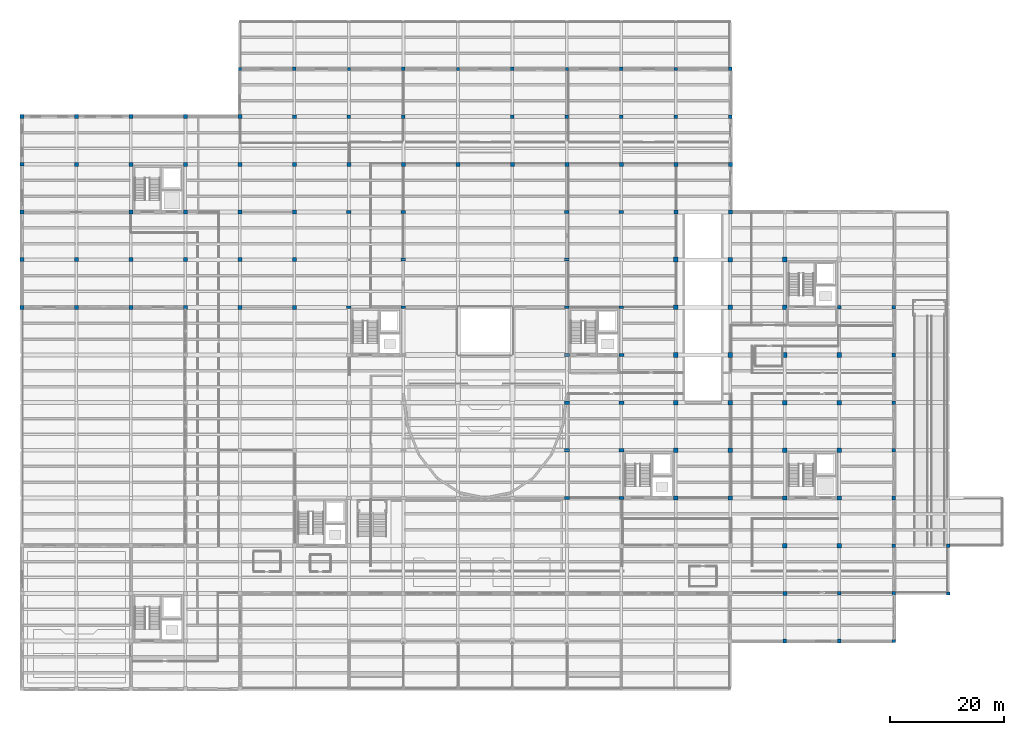
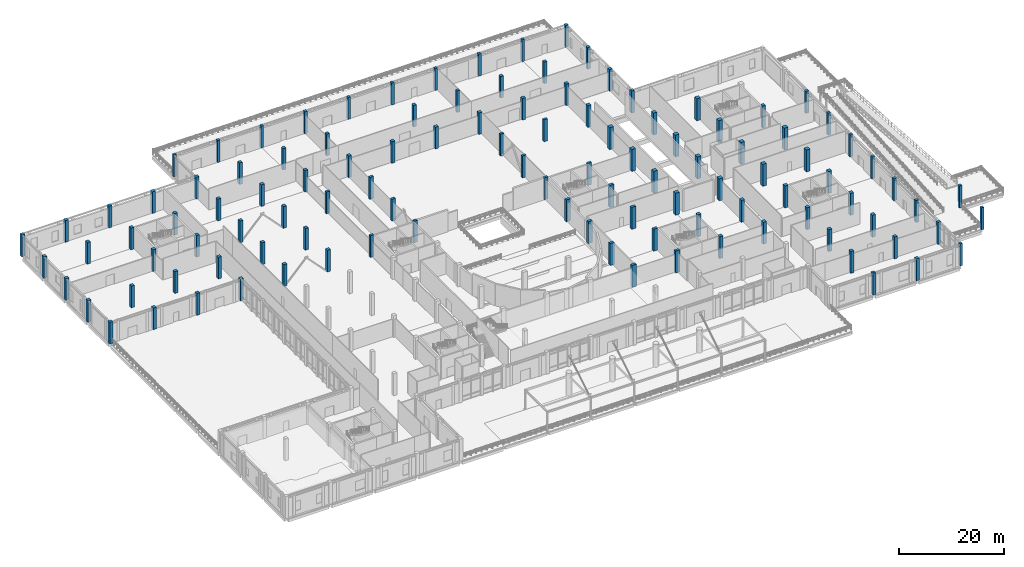
# One storey, part 10 of 71: 113 columns.
"""IFC4 building model written with IfcOpenShell, lengths in metres."""

from ifc_helpers import new_model, si_unit, direction, frame, origin, origin_2d, place, context, subcontext, project, spatial, rectangle, extrude, material, material_profile, profile_set, type_object, element, save


model = new_model("IFC4")

# Units and contexts
model_context = context("Model", 3, precision=1e-05, world=origin(), true_north=direction((0.0, 1.0)))
body_context = subcontext(model_context, "Body", "Model", "MODEL_VIEW")
ifc_project = project(units=[si_unit("LENGTHUNIT", "METRE"), si_unit("AREAUNIT", "SQUARE_METRE"), si_unit("VOLUMEUNIT", "CUBIC_METRE"), si_unit("PLANEANGLEUNIT", "RADIAN"), si_unit("MASSUNIT", "GRAM", prefix="KILO")], contexts=[model_context])

# Site, building, storey
site_placement = place(None, origin())
site = spatial("IfcSite", under=ifc_project, at=site_placement, CompositionType="ELEMENT")
building_placement = place(site_placement, origin())
building = spatial("IfcBuilding", under=site, at=building_placement, Name="Lornevale Opera House", CompositionType="ELEMENT")
storey_placement = place(building_placement, origin())
storey = spatial("IfcBuildingStorey", under=building, at=storey_placement, Name="L01", CompositionType="ELEMENT", Elevation=0.0)

# Columns
ifc_material_1 = material(Name="Concrete 40 MPa (CSA A23.1 C-1)", Category="concrete")
ifc_material_profile_1 = material_profile(ifc_material_1, rectangle(XDim=0.89990234375, YDim=0.60009765625, at=origin_2d()), Name="RC900x600")
ifc_profile_set_1 = profile_set([ifc_material_profile_1], Name="Concrete 40 MPa (CSA A23.1 C-1)")
column_type_1 = type_object("IfcColumnType", Name="Auditorium Drum Pier 900x600", PredefinedType="COLUMN", material=ifc_profile_set_1)
for number, where, z_axis, x_axis, name in (
    (1, (96.0, 33.60009765625, 0.0), (0.0, 0.0, 1.0), (1.0, 0.0, 0.0), "Auditorium Drum Pier 900x600 0615"),
    (2, (96.0, 42.0, 0.0), (0.0, 0.0, 1.0), (1.0, 0.0, 0.0), "Auditorium Drum Pier 900x600 0621"),
    (3, (96.0, 50.39990234375, 0.0), (0.0, 0.0, 1.0), (1.0, 0.0, 0.0), "Auditorium Drum Pier 900x600 0627"),
    (4, (96.0, 58.800048828125, 0.0), (0.0, 0.0, 1.0), (1.0, 0.0, 0.0), "Auditorium Drum Pier 900x600 0635"),
    (5, (105.60009765625, 33.60009765625, 0.0), (0.0, 0.0, 1.0), (1.0, 0.0, 0.0), "Auditorium Drum Pier 900x600 0696"),
    (6, (105.60009765625, 42.0, 0.0), (0.0, 0.0, 1.0), (1.0, 0.0, 0.0), "Auditorium Drum Pier 900x600 0702"),
    (7, (105.60009765625, 50.39990234375, 0.0), (0.0, 0.0, 1.0), (1.0, 0.0, 0.0), "Auditorium Drum Pier 900x600 0708"),
    (8, (105.60009765625, 58.800048828125, 0.0), (0.0, 0.0, 1.0), (1.0, 0.0, 0.0), "Auditorium Drum Pier 900x600 0716"),
):
    element("IfcColumn", number, at=place(storey_placement, frame(where, z_axis=z_axis, x_axis=x_axis)), inside=storey, type_object=column_type_1, Name=name, PredefinedType="COLUMN", context=body_context, shape_type="SweptSolid", body=[
        extrude(rectangle(XDim=0.89990234375, YDim=0.60009765625, at=origin_2d()), origin(), (0.0, 0.0, 1.0), 5.1201171875),
    ])
ifc_material_2 = material(Name="Concrete 35 MPa (CSA A23.1 N)", Category="concrete")
ifc_material_profile_2 = material_profile(ifc_material_2, rectangle(XDim=0.550048828125, YDim=0.550048828125, at=origin_2d()), Name="RC550x550")
ifc_profile_set_2 = profile_set([ifc_material_profile_2], Name="Concrete 35 MPa (CSA A23.1 N)")
column_type_2 = type_object("IfcColumnType", Name="Concrete Column 550x550", PredefinedType="COLUMN", material=ifc_profile_set_2)
for number, where, z_axis, x_axis, name in (
    (9, (38.39990234375, 109.199951171875, 0.0), (0.0, 0.0, 1.0), (1.0, 0.0, 0.0), "Concrete Column 550x550 0282"),
    (10, (57.60009765625, 109.199951171875, 0.0), (0.0, 0.0, 1.0), (1.0, 0.0, 0.0), "Concrete Column 550x550 0412"),
    (11, (76.800048828125, 109.199951171875, 0.0), (0.0, 0.0, 1.0), (1.0, 0.0, 0.0), "Concrete Column 550x550 0541"),
    (12, (96.0, 109.199951171875, 0.0), (0.0, 0.0, 1.0), (1.0, 0.0, 0.0), "Concrete Column 550x550 0676"),
    (13, (115.199951171875, 109.199951171875, 0.0), (0.0, 0.0, 1.0), (1.0, 0.0, 0.0), "Concrete Column 550x550 0829"),
):
    element("IfcColumn", number, at=place(storey_placement, frame(where, z_axis=z_axis, x_axis=x_axis)), inside=storey, type_object=column_type_2, Name=name, PredefinedType="COLUMN", context=body_context, shape_type="SweptSolid", body=[
        extrude(rectangle(XDim=0.550048828125, YDim=0.550048828125, at=origin_2d()), origin(), (0.0, 0.0, 1.0), 5.1298828125),
    ])
for number, where, z_axis, x_axis, name in (
    (14, (153.60009765625, 8.39990234375, 0.0), (0.0, 0.0, 1.0), (1.0, 0.0, 0.0), "Concrete Column 550x550 1039"),
    (15, (163.199951171875, 16.800048828125, 0.0), (0.0, 0.0, 1.0), (1.0, 0.0, 0.0), "Concrete Column 550x550 1077"),
):
    element("IfcColumn", number, at=place(storey_placement, frame(where, z_axis=z_axis, x_axis=x_axis)), inside=storey, type_object=column_type_2, Name=name, PredefinedType="COLUMN", context=body_context, shape_type="SweptSolid", body=[
        extrude(rectangle(XDim=0.550048828125, YDim=0.550048828125, at=origin_2d()), origin(), (0.0, 0.0, 1.0), 5.169921875),
    ])
ifc_material_profile_3 = material_profile(ifc_material_2, rectangle(XDim=0.60009765625, YDim=0.60009765625, at=origin_2d()), Name="RC600x600")
ifc_profile_set_3 = profile_set([ifc_material_profile_3], Name="Concrete 35 MPa (CSA A23.1 N)")
column_type_3 = type_object("IfcColumnType", Name="Concrete Column 600x600", PredefinedType="COLUMN", material=ifc_profile_set_3)
for number, where, z_axis, x_axis, name in (
    (16, (48.0, 109.199951171875, 0.0), (0.0, 0.0, 1.0), (1.0, 0.0, 0.0), "Concrete Column 600x600 0345"),
    (17, (67.199951171875, 109.199951171875, 0.0), (0.0, 0.0, 1.0), (1.0, 0.0, 0.0), "Concrete Column 600x600 0494"),
    (18, (86.39990234375, 109.199951171875, 0.0), (0.0, 0.0, 1.0), (1.0, 0.0, 0.0), "Concrete Column 600x600 0593"),
    (19, (105.60009765625, 109.199951171875, 0.0), (0.0, 0.0, 1.0), (1.0, 0.0, 0.0), "Concrete Column 600x600 0751"),
    (20, (124.800048828125, 109.199951171875, 0.0), (0.0, 0.0, 1.0), (1.0, 0.0, 0.0), "Concrete Column 600x600 0908"),
):
    element("IfcColumn", number, at=place(storey_placement, frame(where, z_axis=z_axis, x_axis=x_axis)), inside=storey, type_object=column_type_3, Name=name, PredefinedType="COLUMN", context=body_context, shape_type="SweptSolid", body=[
        extrude(rectangle(XDim=0.60009765625, YDim=0.60009765625, at=origin_2d()), origin(), (0.0, 0.0, 1.0), 5.1298828125),
    ])
column_1_placement = place(storey_placement, frame((163.199951171875, 25.199951171875, 0.0), z_axis=(0.0, 0.0, 1.0), x_axis=(1.0, 0.0, 0.0)))
element("IfcColumn", 21, at=column_1_placement, inside=storey, type_object=column_type_3, Name="Concrete Column 600x600 1080", PredefinedType="COLUMN", context=body_context, shape_type="SweptSolid", body=[
    extrude(rectangle(XDim=0.60009765625, YDim=0.60009765625, at=origin_2d()), origin(), (0.0, 0.0, 1.0), 5.169921875),
])
ifc_material_profile_4 = material_profile(ifc_material_1, rectangle(XDim=0.64990234375, YDim=0.64990234375, at=origin_2d()), Name="RC650x650")
ifc_profile_set_4 = profile_set([ifc_material_profile_4], Name="Concrete 40 MPa (CSA A23.1 C-1)")
column_type_4 = type_object("IfcColumnType", Name="Concrete Column 650x650", PredefinedType="COLUMN", material=ifc_profile_set_4)
column_2_placement = place(storey_placement, frame((48.0, 100.800048828125, 0.0), z_axis=(0.0, 0.0, 1.0), x_axis=(1.0, 0.0, 0.0)))
element("IfcColumn", 22, at=column_2_placement, inside=storey, type_object=column_type_4, Name="Concrete Column 650x650 0341", PredefinedType="COLUMN", context=body_context, shape_type="SweptSolid", body=[
    extrude(rectangle(XDim=0.64990234375, YDim=0.64990234375, at=origin_2d()), origin(), (0.0, 0.0, 1.0), 5.070068359375),
])
for number, where, z_axis, x_axis, name in (
    (23, (57.60009765625, 100.800048828125, 0.0), (0.0, 0.0, 1.0), (1.0, 0.0, 0.0), "Concrete Column 650x650 0408"),
    (24, (67.199951171875, 100.800048828125, 0.0), (0.0, 0.0, 1.0), (1.0, 0.0, 0.0), "Concrete Column 650x650 0490"),
    (25, (86.39990234375, 100.800048828125, 0.0), (0.0, 0.0, 1.0), (1.0, 0.0, 0.0), "Concrete Column 650x650 0589"),
    (26, (96.0, 100.800048828125, 0.0), (0.0, 0.0, 1.0), (1.0, 0.0, 0.0), "Concrete Column 650x650 0672"),
    (27, (105.60009765625, 100.800048828125, 0.0), (0.0, 0.0, 1.0), (1.0, 0.0, 0.0), "Concrete Column 650x650 0747"),
    (28, (115.199951171875, 100.800048828125, 0.0), (0.0, 0.0, 1.0), (1.0, 0.0, 0.0), "Concrete Column 650x650 0825"),
    (29, (124.800048828125, 100.800048828125, 0.0), (0.0, 0.0, 1.0), (1.0, 0.0, 0.0), "Concrete Column 650x650 0904"),
):
    element("IfcColumn", number, at=place(storey_placement, frame(where, z_axis=z_axis, x_axis=x_axis)), inside=storey, type_object=column_type_4, Name=name, PredefinedType="COLUMN", context=body_context, shape_type="SweptSolid", body=[
        extrude(rectangle(XDim=0.64990234375, YDim=0.64990234375, at=origin_2d()), origin(), (0.0, 0.0, 1.0), 5.0400390625),
    ])
for number, where, z_axis, x_axis, name in (
    (30, (134.39990234375, 8.39990234375, 0.0), (0.0, 0.0, 1.0), (1.0, 0.0, 0.0), "Concrete Column 650x650 0913"),
    (31, (144.0, 8.39990234375, 0.0), (0.0, 0.0, 1.0), (1.0, 0.0, 0.0), "Concrete Column 650x650 0976"),
    (32, (153.60009765625, 16.800048828125, 0.0), (0.0, 0.0, 1.0), (1.0, 0.0, 0.0), "Concrete Column 650x650 1042"),
    (33, (153.60009765625, 25.199951171875, 0.0), (0.0, 0.0, 1.0), (1.0, 0.0, 0.0), "Concrete Column 650x650 1046"),
    (34, (153.60009765625, 33.60009765625, 0.0), (0.0, 0.0, 1.0), (1.0, 0.0, 0.0), "Concrete Column 650x650 1050"),
    (35, (153.60009765625, 42.0, 0.0), (0.0, 0.0, 1.0), (1.0, 0.0, 0.0), "Concrete Column 650x650 1054"),
    (36, (153.60009765625, 50.39990234375, 0.0), (0.0, 0.0, 1.0), (1.0, 0.0, 0.0), "Concrete Column 650x650 1058"),
    (37, (153.60009765625, 58.800048828125, 0.0), (0.0, 0.0, 1.0), (1.0, 0.0, 0.0), "Concrete Column 650x650 1062"),
    (38, (153.60009765625, 67.199951171875, 0.0), (0.0, 0.0, 1.0), (1.0, 0.0, 0.0), "Concrete Column 650x650 1066"),
):
    element("IfcColumn", number, at=place(storey_placement, frame(where, z_axis=z_axis, x_axis=x_axis)), inside=storey, type_object=column_type_4, Name=name, PredefinedType="COLUMN", context=body_context, shape_type="SweptSolid", body=[
        extrude(rectangle(XDim=0.64990234375, YDim=0.64990234375, at=origin_2d()), origin(), (0.0, 0.0, 1.0), 5.1201171875),
    ])
ifc_material_profile_5 = material_profile(ifc_material_1, rectangle(XDim=0.699951171875, YDim=0.699951171875, at=origin_2d()), Name="RC700x700")
ifc_profile_set_5 = profile_set([ifc_material_profile_5], Name="Concrete 40 MPa (CSA A23.1 C-1)")
column_type_5 = type_object("IfcColumnType", Name="Concrete Column 700x700", PredefinedType="COLUMN", material=ifc_profile_set_5)
for number, where, z_axis, x_axis, name in (
    (39, (0.0, 67.199951171875, 0.0), (0.0, 0.0, 1.0), (1.0, 0.0, 0.0), "Concrete Column 700x700 0031"),
    (40, (0.0, 75.60009765625, 0.0), (0.0, 0.0, 1.0), (1.0, 0.0, 0.0), "Concrete Column 700x700 0036"),
    (41, (0.0, 84.0, 0.0), (0.0, 0.0, 1.0), (1.0, 0.0, 0.0), "Concrete Column 700x700 0041"),
    (42, (0.0, 100.800048828125, 0.0), (0.0, 0.0, 1.0), (1.0, 0.0, 0.0), "Concrete Column 700x700 0051"),
    (43, (9.60009765625, 67.199951171875, 0.0), (0.0, 0.0, 1.0), (1.0, 0.0, 0.0), "Concrete Column 700x700 0081"),
    (44, (9.60009765625, 75.60009765625, 0.0), (0.0, 0.0, 1.0), (1.0, 0.0, 0.0), "Concrete Column 700x700 0086"),
    (45, (9.60009765625, 92.39990234375, 0.0), (0.0, 0.0, 1.0), (1.0, 0.0, 0.0), "Concrete Column 700x700 0093"),
    (46, (9.60009765625, 100.800048828125, 0.0), (0.0, 0.0, 1.0), (1.0, 0.0, 0.0), "Concrete Column 700x700 0098"),
    (47, (19.199951171875, 67.199951171875, 0.0), (0.0, 0.0, 1.0), (1.0, 0.0, 0.0), "Concrete Column 700x700 0131"),
    (48, (19.199951171875, 75.60009765625, 0.0), (0.0, 0.0, 1.0), (1.0, 0.0, 0.0), "Concrete Column 700x700 0136"),
    (49, (19.199951171875, 84.0, 0.0), (0.0, 0.0, 1.0), (1.0, 0.0, 0.0), "Concrete Column 700x700 0141"),
    (50, (19.199951171875, 92.39990234375, 0.0), (0.0, 0.0, 1.0), (1.0, 0.0, 0.0), "Concrete Column 700x700 0146"),
    (51, (19.199951171875, 100.800048828125, 0.0), (0.0, 0.0, 1.0), (1.0, 0.0, 0.0), "Concrete Column 700x700 0151"),
    (52, (28.800048828125, 67.199951171875, 0.0), (0.0, 0.0, 1.0), (1.0, 0.0, 0.0), "Concrete Column 700x700 0192"),
    (53, (28.800048828125, 75.60009765625, 0.0), (0.0, 0.0, 1.0), (1.0, 0.0, 0.0), "Concrete Column 700x700 0197"),
    (54, (28.800048828125, 84.0, 0.0), (0.0, 0.0, 1.0), (1.0, 0.0, 0.0), "Concrete Column 700x700 0202"),
    (55, (28.800048828125, 92.39990234375, 0.0), (0.0, 0.0, 1.0), (1.0, 0.0, 0.0), "Concrete Column 700x700 0207"),
    (56, (28.800048828125, 100.800048828125, 0.0), (0.0, 0.0, 1.0), (1.0, 0.0, 0.0), "Concrete Column 700x700 0212"),
    (57, (38.39990234375, 67.199951171875, 0.0), (0.0, 0.0, 1.0), (1.0, 0.0, 0.0), "Concrete Column 700x700 0257"),
    (58, (38.39990234375, 75.60009765625, 0.0), (0.0, 0.0, 1.0), (1.0, 0.0, 0.0), "Concrete Column 700x700 0262"),
    (59, (38.39990234375, 84.0, 0.0), (0.0, 0.0, 1.0), (1.0, 0.0, 0.0), "Concrete Column 700x700 0267"),
    (60, (38.39990234375, 92.39990234375, 0.0), (0.0, 0.0, 1.0), (1.0, 0.0, 0.0), "Concrete Column 700x700 0272"),
    (61, (38.39990234375, 100.800048828125, 0.0), (0.0, 0.0, 1.0), (1.0, 0.0, 0.0), "Concrete Column 700x700 0277"),
    (62, (48.0, 67.199951171875, 0.0), (0.0, 0.0, 1.0), (1.0, 0.0, 0.0), "Concrete Column 700x700 0321"),
    (63, (48.0, 75.60009765625, 0.0), (0.0, 0.0, 1.0), (1.0, 0.0, 0.0), "Concrete Column 700x700 0326"),
    (64, (48.0, 84.0, 0.0), (0.0, 0.0, 1.0), (1.0, 0.0, 0.0), "Concrete Column 700x700 0331"),
    (65, (48.0, 92.39990234375, 0.0), (0.0, 0.0, 1.0), (1.0, 0.0, 0.0), "Concrete Column 700x700 0336"),
):
    element("IfcColumn", number, at=place(storey_placement, frame(where, z_axis=z_axis, x_axis=x_axis)), inside=storey, type_object=column_type_5, Name=name, PredefinedType="COLUMN", context=body_context, shape_type="SweptSolid", body=[
        extrude(rectangle(XDim=0.699951171875, YDim=0.699951171875, at=origin_2d()), origin(), (0.0, 0.0, 1.0), 5.070068359375),
    ])
for number, where, z_axis, x_axis, name in (
    (66, (57.60009765625, 92.39990234375, 0.0), (0.0, 0.0, 1.0), (1.0, 0.0, 0.0), "Concrete Column 700x700 0403"),
    (67, (67.199951171875, 92.39990234375, 0.0), (0.0, 0.0, 1.0), (1.0, 0.0, 0.0), "Concrete Column 700x700 0485"),
    (68, (76.800048828125, 92.39990234375, 0.0), (0.0, 0.0, 1.0), (1.0, 0.0, 0.0), "Concrete Column 700x700 0534"),
    (69, (86.39990234375, 92.39990234375, 0.0), (0.0, 0.0, 1.0), (1.0, 0.0, 0.0), "Concrete Column 700x700 0584"),
    (70, (96.0, 92.39990234375, 0.0), (0.0, 0.0, 1.0), (1.0, 0.0, 0.0), "Concrete Column 700x700 0667"),
    (71, (105.60009765625, 92.39990234375, 0.0), (0.0, 0.0, 1.0), (1.0, 0.0, 0.0), "Concrete Column 700x700 0742"),
):
    element("IfcColumn", number, at=place(storey_placement, frame(where, z_axis=z_axis, x_axis=x_axis)), inside=storey, type_object=column_type_5, Name=name, PredefinedType="COLUMN", context=body_context, shape_type="SweptSolid", body=[
        extrude(rectangle(XDim=0.699951171875, YDim=0.699951171875, at=origin_2d()), origin(), (0.0, 0.0, 1.0), 5.0400390625),
    ])
column_3_placement = place(storey_placement, frame((115.199951171875, 84.0, 0.0), z_axis=(0.0, 0.0, 1.0), x_axis=(1.0, 0.0, 0.0)))
element("IfcColumn", 72, at=column_3_placement, inside=storey, type_object=column_type_5, Name="Concrete Column 700x700 0815", PredefinedType="COLUMN", context=body_context, shape_type="SweptSolid", body=[
    extrude(rectangle(XDim=0.699951171875, YDim=0.699951171875, at=origin_2d()), origin(), (0.0, 0.0, 1.0), 5.1201171875),
])
column_4_placement = place(storey_placement, frame((115.199951171875, 92.39990234375, 0.0), z_axis=(0.0, 0.0, 1.0), x_axis=(1.0, 0.0, 0.0)))
element("IfcColumn", 73, at=column_4_placement, inside=storey, type_object=column_type_5, Name="Concrete Column 700x700 0820", PredefinedType="COLUMN", context=body_context, shape_type="SweptSolid", body=[
    extrude(rectangle(XDim=0.699951171875, YDim=0.699951171875, at=origin_2d()), origin(), (0.0, 0.0, 1.0), 5.0400390625),
])
column_5_placement = place(storey_placement, frame((124.800048828125, 84.0, 0.0), z_axis=(0.0, 0.0, 1.0), x_axis=(1.0, 0.0, 0.0)))
element("IfcColumn", 74, at=column_5_placement, inside=storey, type_object=column_type_5, Name="Concrete Column 700x700 0894", PredefinedType="COLUMN", context=body_context, shape_type="SweptSolid", body=[
    extrude(rectangle(XDim=0.699951171875, YDim=0.699951171875, at=origin_2d()), origin(), (0.0, 0.0, 1.0), 5.1201171875),
])
column_6_placement = place(storey_placement, frame((124.800048828125, 92.39990234375, 0.0), z_axis=(0.0, 0.0, 1.0), x_axis=(1.0, 0.0, 0.0)))
element("IfcColumn", 75, at=column_6_placement, inside=storey, type_object=column_type_5, Name="Concrete Column 700x700 0899", PredefinedType="COLUMN", context=body_context, shape_type="SweptSolid", body=[
    extrude(rectangle(XDim=0.699951171875, YDim=0.699951171875, at=origin_2d()), origin(), (0.0, 0.0, 1.0), 5.0400390625),
])
column_7_placement = place(storey_placement, frame((134.39990234375, 16.800048828125, 0.0), z_axis=(0.0, 0.0, 1.0), x_axis=(1.0, 0.0, 0.0)))
element("IfcColumn", 76, at=column_7_placement, inside=storey, type_object=column_type_5, Name="Concrete Column 700x700 0917", PredefinedType="COLUMN", context=body_context, shape_type="SweptSolid", body=[
    extrude(rectangle(XDim=0.699951171875, YDim=0.699951171875, at=origin_2d()), origin(), (0.0, 0.0, 1.0), 5.1201171875),
])
ifc_material_profile_6 = material_profile(ifc_material_1, rectangle(XDim=0.75, YDim=0.75, at=origin_2d()), Name="RC750x750")
ifc_profile_set_6 = profile_set([ifc_material_profile_6], Name="Concrete 40 MPa (CSA A23.1 C-1)")
column_type_6 = type_object("IfcColumnType", Name="Concrete Column 750x750", PredefinedType="COLUMN", material=ifc_profile_set_6)
for number, where, z_axis, x_axis, name in (
    (77, (115.199951171875, 33.60009765625, 0.0), (0.0, 0.0, 1.0), (1.0, 0.0, 0.0), "Concrete Column 750x750 0771"),
    (78, (115.199951171875, 42.0, 0.0), (0.0, 0.0, 1.0), (1.0, 0.0, 0.0), "Concrete Column 750x750 0777"),
    (79, (124.800048828125, 33.60009765625, 0.0), (0.0, 0.0, 1.0), (1.0, 0.0, 0.0), "Concrete Column 750x750 0851"),
    (80, (124.800048828125, 42.0, 0.0), (0.0, 0.0, 1.0), (1.0, 0.0, 0.0), "Concrete Column 750x750 0857"),
    (81, (134.39990234375, 25.199951171875, 0.0), (0.0, 0.0, 1.0), (1.0, 0.0, 0.0), "Concrete Column 750x750 0922"),
    (82, (134.39990234375, 33.60009765625, 0.0), (0.0, 0.0, 1.0), (1.0, 0.0, 0.0), "Concrete Column 750x750 0928"),
    (83, (134.39990234375, 42.0, 0.0), (0.0, 0.0, 1.0), (1.0, 0.0, 0.0), "Concrete Column 750x750 0934"),
    (84, (144.0, 25.199951171875, 0.0), (0.0, 0.0, 1.0), (1.0, 0.0, 0.0), "Concrete Column 750x750 0985"),
    (85, (144.0, 33.60009765625, 0.0), (0.0, 0.0, 1.0), (1.0, 0.0, 0.0), "Concrete Column 750x750 0991"),
    (86, (144.0, 42.0, 0.0), (0.0, 0.0, 1.0), (1.0, 0.0, 0.0), "Concrete Column 750x750 0997"),
):
    element("IfcColumn", number, at=place(storey_placement, frame(where, z_axis=z_axis, x_axis=x_axis)), inside=storey, type_object=column_type_6, Name=name, PredefinedType="COLUMN", context=body_context, shape_type="SweptSolid", body=[
        extrude(rectangle(XDim=0.75, YDim=0.75, at=origin_2d()), origin(), (0.0, 0.0, 1.0), 5.1201171875),
    ])
ifc_material_profile_7 = material_profile(ifc_material_1, rectangle(XDim=0.800048828125, YDim=0.800048828125, at=origin_2d()), Name="RC800x800")
ifc_profile_set_7 = profile_set([ifc_material_profile_7], Name="Concrete 40 MPa (CSA A23.1 C-1)")
column_type_7 = type_object("IfcColumnType", Name="Concrete Column 800x800", PredefinedType="COLUMN", material=ifc_profile_set_7)
column_8_placement = place(storey_placement, frame((124.800048828125, 75.60009765625, 0.0), z_axis=(0.0, 0.0, 1.0), x_axis=(1.0, 0.0, 0.0)))
element("IfcColumn", 87, at=column_8_placement, inside=storey, type_object=column_type_7, Name="Concrete Column 800x800 0887", PredefinedType="COLUMN", context=body_context, shape_type="SweptSolid", body=[
    extrude(rectangle(XDim=0.800048828125, YDim=0.800048828125, at=origin_2d()), origin(), (0.0, 0.0, 1.0), 5.1201171875),
])
ifc_material_profile_8 = material_profile(ifc_material_1, rectangle(XDim=0.85009765625, YDim=0.85009765625, at=origin_2d()), Name="RC850x850")
ifc_profile_set_8 = profile_set([ifc_material_profile_8], Name="Concrete 40 MPa (CSA A23.1 C-1)")
column_type_8 = type_object("IfcColumnType", Name="Concrete Column 850x850", PredefinedType="COLUMN", material=ifc_profile_set_8)
for number, where, z_axis, x_axis, name in (
    (88, (115.199951171875, 50.39990234375, 0.0), (0.0, 0.0, 1.0), (1.0, 0.0, 0.0), "Concrete Column 850x850 0783"),
    (89, (115.199951171875, 58.800048828125, 0.0), (0.0, 0.0, 1.0), (1.0, 0.0, 0.0), "Concrete Column 850x850 0791"),
    (90, (115.199951171875, 67.199951171875, 0.0), (0.0, 0.0, 1.0), (1.0, 0.0, 0.0), "Concrete Column 850x850 0799"),
    (91, (115.199951171875, 75.60009765625, 0.0), (0.0, 0.0, 1.0), (1.0, 0.0, 0.0), "Concrete Column 850x850 0807"),
    (92, (124.800048828125, 50.39990234375, 0.0), (0.0, 0.0, 1.0), (1.0, 0.0, 0.0), "Concrete Column 850x850 0863"),
    (93, (124.800048828125, 58.800048828125, 0.0), (0.0, 0.0, 1.0), (1.0, 0.0, 0.0), "Concrete Column 850x850 0871"),
    (94, (124.800048828125, 67.199951171875, 0.0), (0.0, 0.0, 1.0), (1.0, 0.0, 0.0), "Concrete Column 850x850 0879"),
    (95, (134.39990234375, 50.39990234375, 0.0), (0.0, 0.0, 1.0), (1.0, 0.0, 0.0), "Concrete Column 850x850 0940"),
    (96, (134.39990234375, 58.800048828125, 0.0), (0.0, 0.0, 1.0), (1.0, 0.0, 0.0), "Concrete Column 850x850 0948"),
    (97, (134.39990234375, 67.199951171875, 0.0), (0.0, 0.0, 1.0), (1.0, 0.0, 0.0), "Concrete Column 850x850 0956"),
    (98, (134.39990234375, 75.60009765625, 0.0), (0.0, 0.0, 1.0), (1.0, 0.0, 0.0), "Concrete Column 850x850 0964"),
    (99, (144.0, 50.39990234375, 0.0), (0.0, 0.0, 1.0), (1.0, 0.0, 0.0), "Concrete Column 850x850 1003"),
    (100, (144.0, 58.800048828125, 0.0), (0.0, 0.0, 1.0), (1.0, 0.0, 0.0), "Concrete Column 850x850 1011"),
):
    element("IfcColumn", number, at=place(storey_placement, frame(where, z_axis=z_axis, x_axis=x_axis)), inside=storey, type_object=column_type_8, Name=name, PredefinedType="COLUMN", context=body_context, shape_type="SweptSolid", body=[
        extrude(rectangle(XDim=0.85009765625, YDim=0.85009765625, at=origin_2d()), origin(), (0.0, 0.0, 1.0), 5.1201171875),
    ])
ifc_material_3 = material(Name="Precast Concrete 40 MPa (CSA A23.1 C-1)", Category="concrete")
ifc_material_profile_9 = material_profile(ifc_material_3, rectangle(XDim=0.64990234375, YDim=0.64990234375, at=origin_2d()), Name="RC650x650")
ifc_profile_set_9 = profile_set([ifc_material_profile_9], Name="Precast Concrete 40 MPa (CSA A23.1 C-1)")
column_type_9 = type_object("IfcColumnType", Name="Postmodern Sandstone Pilaster 650x650", PredefinedType="PILASTER", material=ifc_profile_set_9)
column_9_placement = place(storey_placement, frame((0.0, 92.39990234375, 0.0), z_axis=(0.0, 0.0, 1.0), x_axis=(1.0, 0.0, 0.0)))
element("IfcColumn", 101, at=column_9_placement, inside=storey, type_object=column_type_9, Name="Postmodern Sandstone Pilaster 650x650 0046", PredefinedType="PILASTER", context=body_context, shape_type="SweptSolid", body=[
    extrude(rectangle(XDim=0.64990234375, YDim=0.64990234375, at=origin_2d()), origin(), (0.0, 0.0, 1.0), 5.070068359375),
])
for number, where, z_axis, x_axis, name in (
    (102, (144.0, 16.800048828125, 0.0), (0.0, 0.0, 1.0), (1.0, 0.0, 0.0), "Postmodern Sandstone Pilaster 650x650 0980"),
    (103, (144.0, 67.199951171875, 0.0), (0.0, 0.0, 1.0), (1.0, 0.0, 0.0), "Postmodern Sandstone Pilaster 650x650 1019"),
):
    element("IfcColumn", number, at=place(storey_placement, frame(where, z_axis=z_axis, x_axis=x_axis)), inside=storey, type_object=column_type_9, Name=name, PredefinedType="PILASTER", context=body_context, shape_type="SweptSolid", body=[
        extrude(rectangle(XDim=0.64990234375, YDim=0.64990234375, at=origin_2d()), origin(), (0.0, 0.0, 1.0), 5.1201171875),
    ])
ifc_material_profile_10 = material_profile(ifc_material_1, rectangle(XDim=0.800048828125, YDim=0.5, at=origin_2d()), Name="RC800x500")
ifc_profile_set_10 = profile_set([ifc_material_profile_10], Name="Concrete 40 MPa (CSA A23.1 C-1)")
column_type_10 = type_object("IfcColumnType", Name="Stage Pier Column 800x500", PredefinedType="COLUMN", material=ifc_profile_set_10)
for number, where, z_axis, x_axis, name in (
    (104, (57.60009765625, 67.199951171875, 0.0), (0.0, 0.0, 1.0), (1.0, 0.0, 0.0), "Stage Pier Column 800x500 0388"),
    (105, (57.60009765625, 84.0, 0.0), (0.0, 0.0, 1.0), (1.0, 0.0, 0.0), "Stage Pier Column 800x500 0397"),
):
    element("IfcColumn", number, at=place(storey_placement, frame(where, z_axis=z_axis, x_axis=x_axis)), inside=storey, type_object=column_type_10, Name=name, PredefinedType="COLUMN", context=body_context, shape_type="SweptSolid", body=[
        extrude(rectangle(XDim=0.800048828125, YDim=0.5, at=origin_2d()), origin(), (0.0, 0.0, 1.0), 5.070068359375),
    ])
for number, where, z_axis, x_axis, name in (
    (106, (67.199951171875, 67.199951171875, 0.0), (0.0, 0.0, 1.0), (1.0, 0.0, 0.0), "Stage Pier Column 800x500 0461"),
    (107, (67.199951171875, 75.60009765625, 0.0), (0.0, 0.0, 1.0), (1.0, 0.0, 0.0), "Stage Pier Column 800x500 0469"),
    (108, (67.199951171875, 84.0, 0.0), (0.0, 0.0, 1.0), (1.0, 0.0, 0.0), "Stage Pier Column 800x500 0477"),
    (109, (96.0, 67.199951171875, 0.0), (0.0, 0.0, 1.0), (1.0, 0.0, 0.0), "Stage Pier Column 800x500 0643"),
    (110, (96.0, 75.60009765625, 0.0), (0.0, 0.0, 1.0), (1.0, 0.0, 0.0), "Stage Pier Column 800x500 0651"),
    (111, (96.0, 84.0, 0.0), (0.0, 0.0, 1.0), (1.0, 0.0, 0.0), "Stage Pier Column 800x500 0659"),
    (112, (105.60009765625, 67.199951171875, 0.0), (0.0, 0.0, 1.0), (1.0, 0.0, 0.0), "Stage Pier Column 800x500 0724"),
    (113, (105.60009765625, 84.0, 0.0), (0.0, 0.0, 1.0), (1.0, 0.0, 0.0), "Stage Pier Column 800x500 0734"),
):
    element("IfcColumn", number, at=place(storey_placement, frame(where, z_axis=z_axis, x_axis=x_axis)), inside=storey, type_object=column_type_10, Name=name, PredefinedType="COLUMN", context=body_context, shape_type="SweptSolid", body=[
        extrude(rectangle(XDim=0.800048828125, YDim=0.5, at=origin_2d()), origin(), (0.0, 0.0, 1.0), 5.1201171875),
    ])

save(model, "model.ifc")
